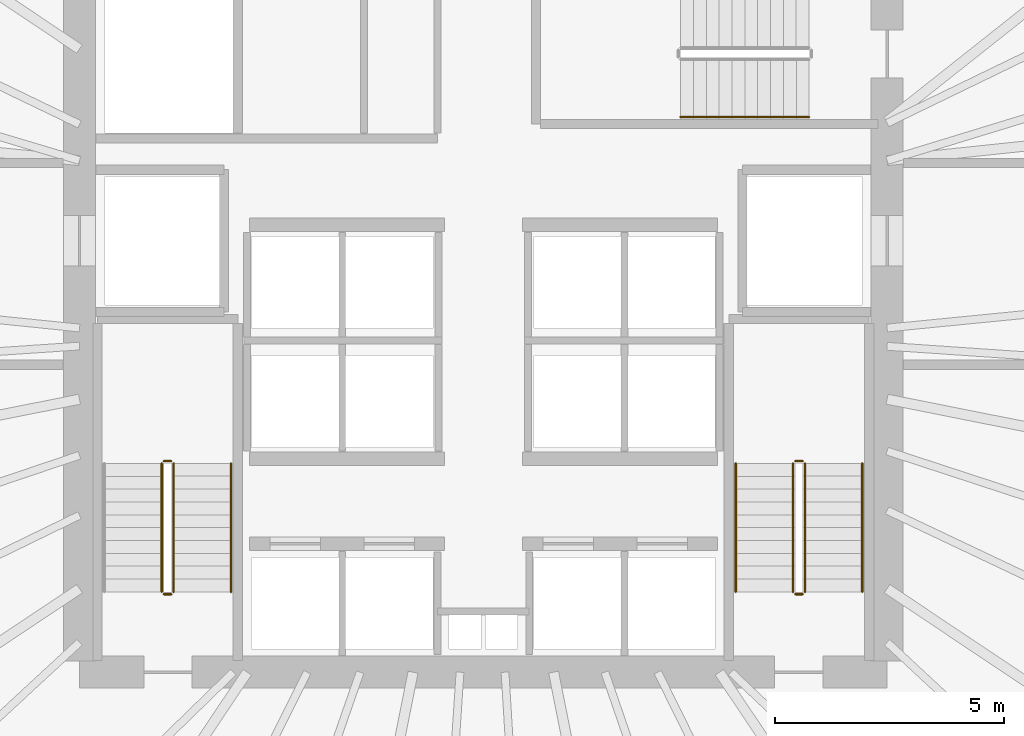
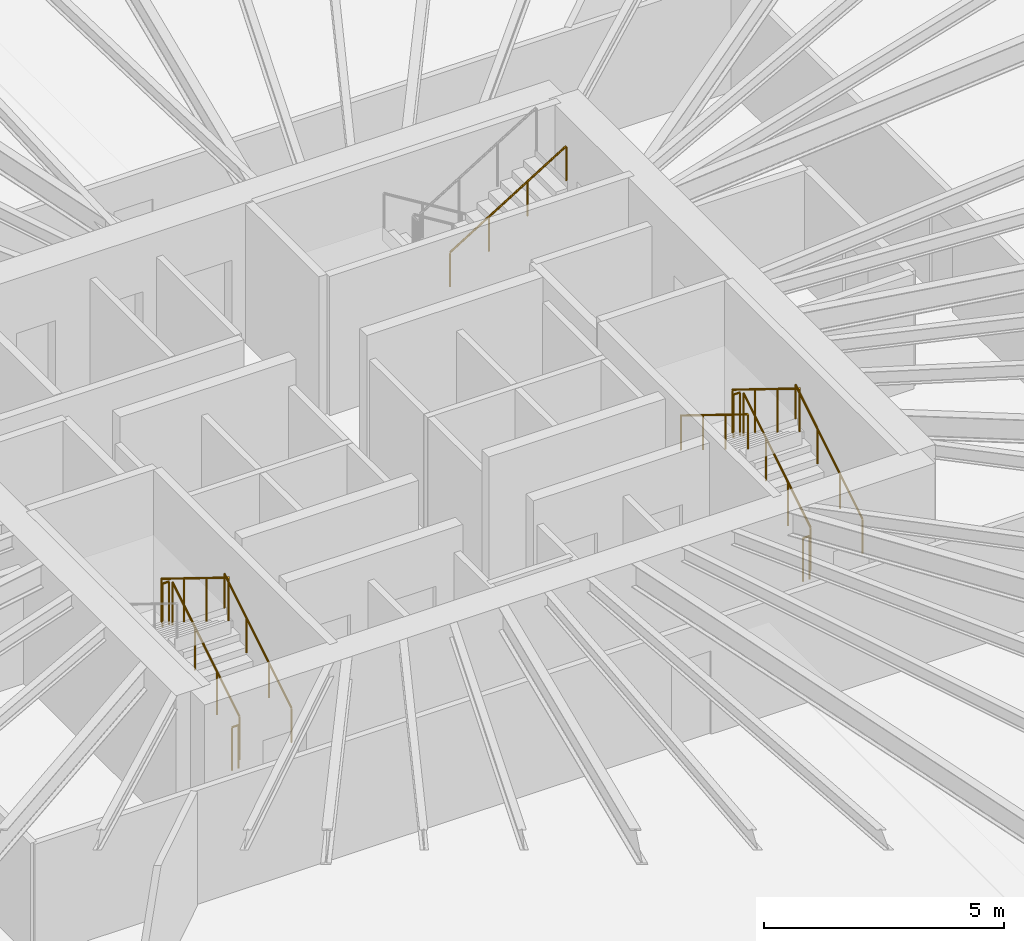
# One storey, part 33 of 38: 12 railings.
"""IFC4 building model written with IfcOpenShell, lengths in metres."""

from ifc_helpers import new_model, si_unit, direction, frame, origin, origin_2d, place, context, subcontext, project, spatial, circle, extrude, material, type_object, element, save


model = new_model("IFC4")

# Units and contexts
model_context = context("Model", 3, precision=1e-05, world=origin(), true_north=direction((0.0, 1.0)))
body_context = subcontext(model_context, "Body", "Model", "MODEL_VIEW")
ifc_project = project(units=[si_unit("LENGTHUNIT", "METRE"), si_unit("AREAUNIT", "SQUARE_METRE"), si_unit("VOLUMEUNIT", "CUBIC_METRE"), si_unit("PLANEANGLEUNIT", "RADIAN"), si_unit("MASSUNIT", "GRAM", prefix="KILO"), si_unit("THERMODYNAMICTEMPERATUREUNIT", "KELVIN")], contexts=[model_context])

# Site, building, storey
site_placement = place(None, origin())
site = spatial("IfcSite", under=ifc_project, at=site_placement, CompositionType="ELEMENT")
building_placement = place(site_placement, origin())
building = spatial("IfcBuilding", under=site, at=building_placement, Name="Kethvar Cultural Tower", CompositionType="ELEMENT")
storey_placement = place(building_placement, frame((0.0, 0.0, 29.60009765625)))
storey = spatial("IfcBuildingStorey", under=building, at=storey_placement, Name="L06", CompositionType="ELEMENT", Elevation=29.60009765625)

# Railings
ifc_material = material(Name="Steel S355J2", Category="steel")
railing_type_1 = type_object("IfcRailingType", Name="RL-STAIR-GUARD", PredefinedType="BALUSTRADE", material=ifc_material)
railing_1_placement = place(storey_placement, frame((40.050048828125, 21.85009765625, 0.172607421875)))
element("IfcRailing", 1, at=railing_1_placement, inside=storey, type_object=railing_type_1, Name="L06 ST-01 stair guard 1", PredefinedType="BALUSTRADE", context=body_context, shape_type="SweptSolid", body=[
    extrude(circle(Radius=0.02392578125, at=origin_2d()), frame((0.0, 0.0, 1.09619140625), z_axis=(0.0, 0.851069175582, 0.525053576669), x_axis=(-1.0, 0.0, 0.0)), (0.0, 0.0, 1.0), 3.289794921875),
    extrude(circle(Radius=0.02099609375, at=origin_2d()), origin(), (0.0, 0.0, 1.0), 1.072021484375),
    extrude(circle(Radius=0.02099609375, at=origin_2d()), frame((0.0, 0.933349609375, 0.57568359375)), (0.0, 0.0, 1.0), 1.072021484375),
    extrude(circle(Radius=0.02099609375, at=origin_2d()), frame((0.0, 1.866455078125, 1.151611328125)), (0.0, 0.0, 1.0), 1.072021484375),
    extrude(circle(Radius=0.02099609375, at=origin_2d()), frame((0.0, 2.7998046875, 1.727294921875)), (0.0, 0.0, 1.0), 1.072021484375),
])
railing_2_placement = place(storey_placement, frame((40.0, 24.699951171875, 1.89990234375)))
element("IfcRailing", 2, at=railing_2_placement, inside=storey, type_object=railing_type_1, Name="L06 ST-01 stair guard 2", PredefinedType="BALUSTRADE", context=body_context, shape_type="SweptSolid", body=[
    extrude(circle(Radius=0.02392578125, at=origin_2d()), frame((0.0, 0.0, 1.09619140625), z_axis=(-1.0, 0.0, 0.0), x_axis=(0.0, -1.0, 0.0)), (0.0, 0.0, 1.0), 0.159912109375),
    extrude(circle(Radius=0.02099609375, at=origin_2d()), origin(), (0.0, 0.0, 1.0), 1.072021484375),
    extrude(circle(Radius=0.02099609375, at=origin_2d()), frame((-0.159912109375, 0.0, 0.0)), (0.0, 0.0, 1.0), 1.072021484375),
])
railing_3_placement = place(storey_placement, frame((39.7900390625, 24.64990234375, 2.072509765625)))
element("IfcRailing", 3, at=railing_3_placement, inside=storey, type_object=railing_type_1, Name="L06 ST-01 stair guard 3", PredefinedType="BALUSTRADE", context=body_context, shape_type="SweptSolid", body=[
    extrude(circle(Radius=0.02392578125, at=origin_2d()), frame((0.0, 0.0, 1.09619140625), z_axis=(0.0, -0.851069175582, 0.525053576669), x_axis=(1.0, 0.0, 0.0)), (0.0, 0.0, 1.0), 3.289794921875),
    extrude(circle(Radius=0.02099609375, at=origin_2d()), origin(), (0.0, 0.0, 1.0), 1.072021484375),
    extrude(circle(Radius=0.02099609375, at=origin_2d()), frame((0.0, -0.933349609375, 0.57568359375)), (0.0, 0.0, 1.0), 1.072021484375),
    extrude(circle(Radius=0.02099609375, at=origin_2d()), frame((0.0, -1.866455078125, 1.151611328125)), (0.0, 0.0, 1.0), 1.072021484375),
    extrude(circle(Radius=0.02099609375, at=origin_2d()), frame((0.0, -2.7998046875, 1.727294921875)), (0.0, 0.0, 1.0), 1.072021484375),
])
railing_4_placement = place(storey_placement, frame((40.0, 21.800048828125, 0.0)))
element("IfcRailing", 4, at=railing_4_placement, inside=storey, type_object=railing_type_1, Name="L06 ST-01 stair guard 4", PredefinedType="BALUSTRADE", context=body_context, shape_type="SweptSolid", body=[
    extrude(circle(Radius=0.02392578125, at=origin_2d()), frame((0.0, 0.0, 1.09619140625), z_axis=(-1.0, 0.0, 0.0), x_axis=(0.0, -1.0, 0.0)), (0.0, 0.0, 1.0), 0.159912109375),
    extrude(circle(Radius=0.02099609375, at=origin_2d()), origin(), (0.0, 0.0, 1.0), 1.072021484375),
    extrude(circle(Radius=0.02099609375, at=origin_2d()), frame((-0.159912109375, 0.0, 0.0)), (0.0, 0.0, 1.0), 1.072021484375),
])
railing_5_placement = place(storey_placement, frame((53.81005859375, 21.85009765625, 0.172607421875)))
element("IfcRailing", 5, at=railing_5_placement, inside=storey, type_object=railing_type_1, Name="L06 ST-02 stair guard 1", PredefinedType="BALUSTRADE", context=body_context, shape_type="SweptSolid", body=[
    extrude(circle(Radius=0.02392578125, at=origin_2d()), frame((0.0, 0.0, 1.09619140625), z_axis=(0.0, 0.851069175582, 0.525053576669), x_axis=(-1.0, 0.0, 0.0)), (0.0, 0.0, 1.0), 3.289794921875),
    extrude(circle(Radius=0.02099609375, at=origin_2d()), origin(), (0.0, 0.0, 1.0), 1.072021484375),
    extrude(circle(Radius=0.02099609375, at=origin_2d()), frame((0.0, 0.933349609375, 0.57568359375)), (0.0, 0.0, 1.0), 1.072021484375),
    extrude(circle(Radius=0.02099609375, at=origin_2d()), frame((0.0, 1.866455078125, 1.151611328125)), (0.0, 0.0, 1.0), 1.072021484375),
    extrude(circle(Radius=0.02099609375, at=origin_2d()), frame((0.0, 2.7998046875, 1.727294921875)), (0.0, 0.0, 1.0), 1.072021484375),
])
railing_6_placement = place(storey_placement, frame((53.760009765625, 24.699951171875, 1.89990234375)))
element("IfcRailing", 6, at=railing_6_placement, inside=storey, type_object=railing_type_1, Name="L06 ST-02 stair guard 2", PredefinedType="BALUSTRADE", context=body_context, shape_type="SweptSolid", body=[
    extrude(circle(Radius=0.02392578125, at=origin_2d()), frame((0.0, 0.0, 1.09619140625), z_axis=(-1.0, 0.0, 0.0), x_axis=(0.0, -1.0, 0.0)), (0.0, 0.0, 1.0), 0.159912109375),
    extrude(circle(Radius=0.02099609375, at=origin_2d()), origin(), (0.0, 0.0, 1.0), 1.072021484375),
    extrude(circle(Radius=0.02099609375, at=origin_2d()), frame((-0.159912109375, 0.0, 0.0)), (0.0, 0.0, 1.0), 1.072021484375),
])
railing_7_placement = place(storey_placement, frame((53.550048828125, 24.64990234375, 2.072509765625)))
element("IfcRailing", 7, at=railing_7_placement, inside=storey, type_object=railing_type_1, Name="L06 ST-02 stair guard 3", PredefinedType="BALUSTRADE", context=body_context, shape_type="SweptSolid", body=[
    extrude(circle(Radius=0.02392578125, at=origin_2d()), frame((0.0, 0.0, 1.09619140625), z_axis=(0.0, -0.851069175582, 0.525053576669), x_axis=(1.0, 0.0, 0.0)), (0.0, 0.0, 1.0), 3.289794921875),
    extrude(circle(Radius=0.02099609375, at=origin_2d()), origin(), (0.0, 0.0, 1.0), 1.072021484375),
    extrude(circle(Radius=0.02099609375, at=origin_2d()), frame((0.0, -0.933349609375, 0.57568359375)), (0.0, 0.0, 1.0), 1.072021484375),
    extrude(circle(Radius=0.02099609375, at=origin_2d()), frame((0.0, -1.866455078125, 1.151611328125)), (0.0, 0.0, 1.0), 1.072021484375),
    extrude(circle(Radius=0.02099609375, at=origin_2d()), frame((0.0, -2.7998046875, 1.727294921875)), (0.0, 0.0, 1.0), 1.072021484375),
])
railing_8_placement = place(storey_placement, frame((53.760009765625, 21.800048828125, 0.0)))
element("IfcRailing", 8, at=railing_8_placement, inside=storey, type_object=railing_type_1, Name="L06 ST-02 stair guard 4", PredefinedType="BALUSTRADE", context=body_context, shape_type="SweptSolid", body=[
    extrude(circle(Radius=0.02392578125, at=origin_2d()), frame((0.0, 0.0, 1.09619140625), z_axis=(-1.0, 0.0, 0.0), x_axis=(0.0, -1.0, 0.0)), (0.0, 0.0, 1.0), 0.159912109375),
    extrude(circle(Radius=0.02099609375, at=origin_2d()), origin(), (0.0, 0.0, 1.0), 1.072021484375),
    extrude(circle(Radius=0.02099609375, at=origin_2d()), frame((-0.159912109375, 0.0, 0.0)), (0.0, 0.0, 1.0), 1.072021484375),
])
railing_type_2 = type_object("IfcRailingType", Name="RL-STAIR-HANDRAIL", PredefinedType="HANDRAIL", material=ifc_material)
for number, where, name in (
    (9, (41.300048828125, 21.85009765625, 0.172607421875), "L06 ST-01 stair handrail 1"),
    (10, (55.06005859375, 21.85009765625, 0.172607421875), "L06 ST-02 stair handrail 1"),
):
    element("IfcRailing", number, at=place(storey_placement, frame(where)), inside=storey, type_object=railing_type_2, Name=name, PredefinedType="HANDRAIL", context=body_context, shape_type="SweptSolid", body=[
        extrude(circle(Radius=0.02392578125, at=origin_2d()), frame((0.0, 0.0, 0.8759765625), z_axis=(0.0, 0.851069175582, 0.525053576669), x_axis=(-1.0, 0.0, 0.0)), (0.0, 0.0, 1.0), 3.289794921875),
        extrude(circle(Radius=0.02099609375, at=origin_2d()), origin(), (0.0, 0.0, 1.0), 0.851806640625),
        extrude(circle(Radius=0.02099609375, at=origin_2d()), frame((0.0, 0.933349609375, 0.57568359375)), (0.0, 0.0, 1.0), 0.851806640625),
        extrude(circle(Radius=0.02099609375, at=origin_2d()), frame((0.0, 1.866455078125, 1.151611328125)), (0.0, 0.0, 1.0), 0.851806640625),
        extrude(circle(Radius=0.02099609375, at=origin_2d()), frame((0.0, 2.7998046875, 1.727294921875)), (0.0, 0.0, 1.0), 0.851806640625),
    ])
railing_9_placement = place(storey_placement, frame((52.300048828125, 24.64990234375, 2.072509765625)))
element("IfcRailing", 11, at=railing_9_placement, inside=storey, type_object=railing_type_2, Name="L06 ST-02 stair handrail 2", PredefinedType="HANDRAIL", context=body_context, shape_type="SweptSolid", body=[
    extrude(circle(Radius=0.02392578125, at=origin_2d()), frame((0.0, 0.0, 0.8759765625), z_axis=(0.0, -0.851069175582, 0.525053576669), x_axis=(1.0, 0.0, 0.0)), (0.0, 0.0, 1.0), 3.289794921875),
    extrude(circle(Radius=0.02099609375, at=origin_2d()), origin(), (0.0, 0.0, 1.0), 0.851806640625),
    extrude(circle(Radius=0.02099609375, at=origin_2d()), frame((0.0, -0.933349609375, 0.57568359375)), (0.0, 0.0, 1.0), 0.851806640625),
    extrude(circle(Radius=0.02099609375, at=origin_2d()), frame((0.0, -1.866455078125, 1.151611328125)), (0.0, 0.0, 1.0), 0.851806640625),
    extrude(circle(Radius=0.02099609375, at=origin_2d()), frame((0.0, -2.7998046875, 1.727294921875)), (0.0, 0.0, 1.0), 0.851806640625),
])
railing_10_placement = place(storey_placement, frame((51.10009765625, 32.199951171875, 2.072509765625)))
element("IfcRailing", 12, at=railing_10_placement, inside=storey, type_object=railing_type_2, Name="L06 ST-03 stair handrail 2", PredefinedType="HANDRAIL", context=body_context, shape_type="SweptSolid", body=[
    extrude(circle(Radius=0.02392578125, at=origin_2d()), frame((0.0, 0.0, 0.8759765625), z_axis=(0.851069175582, 0.0, 0.525053576669), x_axis=(0.0, 1.0, 0.0)), (0.0, 0.0, 1.0), 3.289794921875),
    extrude(circle(Radius=0.02099609375, at=origin_2d()), origin(), (0.0, 0.0, 1.0), 0.851806640625),
    extrude(circle(Radius=0.02099609375, at=origin_2d()), frame((0.933349609375, 0.0, 0.57568359375)), (0.0, 0.0, 1.0), 0.851806640625),
    extrude(circle(Radius=0.02099609375, at=origin_2d()), frame((1.866455078125, 0.0, 1.151611328125)), (0.0, 0.0, 1.0), 0.851806640625),
    extrude(circle(Radius=0.02099609375, at=origin_2d()), frame((2.7998046875, 0.0, 1.727294921875)), (0.0, 0.0, 1.0), 0.851806640625),
])

save(model, "model.ifc")
